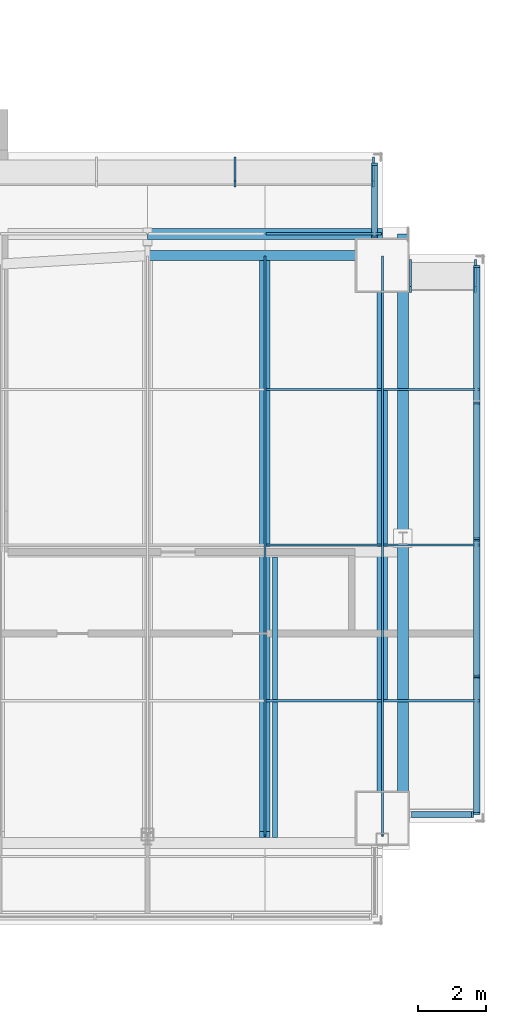
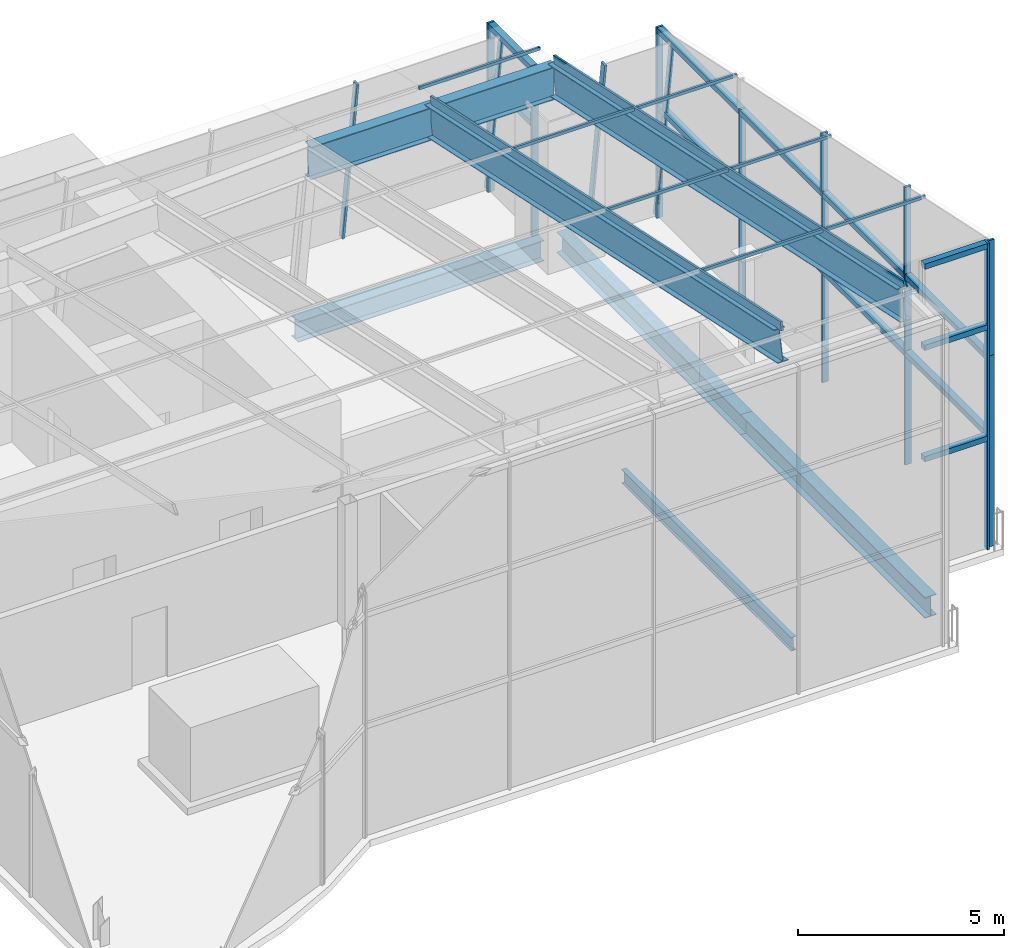
# One storey, part 7 of 17: 37 members, 7 beams, 7 elements without a shape of their own.
"""IFC4 building model written with IfcOpenShell, lengths in metres."""

import ifcopenshell
import ifcopenshell.guid

model = None  # the IFC model being written
_history = None  # IfcOwnerHistory: only IFC2X3 demands one
_inside = {}  # id of a spatial element -> (the spatial element, [elements in it])
_under = {}  # id of a project, library or spatial element -> (it, [spatial elements below it])
_declared = {}  # id of a project -> (the project, [libraries it declares])
_typed = {}  # id of a type object -> (the type object, [elements of that type])
_made_of = {}  # id of a material, layer set ... -> (it, [elements and type objects made of it])


def new_model(schema):
    """Start an empty IFC model of exactly this schema.

    Asked for "IFC4X3", IfcOpenShell would pick the latest addendum, in which some entities
    have other attributes; the version numbers below select the first issue.
    IFC2X3 requires an IfcOwnerHistory on every rooted entity: one is made here for all.
    """
    global model, _history
    if schema == "IFC4X3":
        model = ifcopenshell.file(schema_version=(4, 3, 0, 0))
    else:
        model = ifcopenshell.file(schema=schema)
    _inside.clear()
    _under.clear()
    _declared.clear()
    _typed.clear()
    _made_of.clear()
    _history = None
    if model.schema == "IFC2X3":
        org = make("IfcOrganization", Name="unknown")
        user = make(
            "IfcPersonAndOrganization",
            ThePerson=make("IfcPerson", FamilyName="unknown"),
            TheOrganization=org,
        )
        app = make(
            "IfcApplication",
            ApplicationDeveloper=org,
            Version="unknown",
            ApplicationFullName="unknown",
            ApplicationIdentifier="unknown",
        )
        _history = make(
            "IfcOwnerHistory",
            OwningUser=user,
            OwningApplication=app,
            ChangeAction="ADDED",
            CreationDate=0,
        )
    return model


def make(cls, **values):
    """One entity of the class cls with the attributes given. An attribute that is None is left unset."""
    return model.create_entity(
        cls, **{name: value for name, value in values.items() if value is not None}
    )


def rooted(cls, **values):
    """An entity with a GlobalId (a new one), such as an element, a storey or a relation."""
    return make(cls, GlobalId=ifcopenshell.guid.new(), OwnerHistory=_history, **values)


def si_unit(unit_type, name, prefix=None):
    """IfcSIUnit, for example si_unit("LENGTHUNIT", "METRE", prefix="MILLI")."""
    return make("IfcSIUnit", UnitType=unit_type, Prefix=prefix, Name=name)


def assignment(units):
    """IfcUnitAssignment: the units of a project."""
    return None if units is None else make("IfcUnitAssignment", Units=units)


def point(xyz):
    """IfcCartesianPoint."""
    return None if xyz is None else make("IfcCartesianPoint", Coordinates=xyz)


def direction(xyz):
    """IfcDirection."""
    return None if xyz is None else make("IfcDirection", DirectionRatios=xyz)


def frame(location, z_axis=None, x_axis=None):
    """IfcAxis2Placement3D, a coordinate frame: its origin and axes. An axis left out is left unset."""
    return make(
        "IfcAxis2Placement3D",
        Location=point(location),
        Axis=direction(z_axis),
        RefDirection=direction(x_axis),
    )


def frame_2d(location, x_axis=None):
    """IfcAxis2Placement2D, a coordinate frame in the plane: its origin and x axis."""
    return make(
        "IfcAxis2Placement2D", Location=point(location), RefDirection=direction(x_axis)
    )


def origin():
    """The frame at (0, 0, 0) with its axes left unset."""
    return frame((0.0, 0.0, 0.0))


def origin_2d():
    """The frame at (0, 0) in the plane with its x axis left unset."""
    return frame_2d((0.0, 0.0))


def place(relative_to, where):
    """IfcLocalPlacement: puts the frame where relative to a parent placement (None: the world)."""
    return make(
        "IfcLocalPlacement", PlacementRelTo=relative_to, RelativePlacement=where
    )


def context(
    kind, dimensions, precision=None, world=None, true_north=None, identifier=None
):
    """IfcGeometricRepresentationContext, for example the 3D "Model" context."""
    return make(
        "IfcGeometricRepresentationContext",
        ContextIdentifier=identifier,
        ContextType=kind,
        CoordinateSpaceDimension=dimensions,
        Precision=precision,
        WorldCoordinateSystem=world,
        TrueNorth=true_north,
    )


def subcontext(parent, identifier, kind, view, scale=None):
    """IfcGeometricRepresentationSubContext, for example "Body" below "Model"."""
    return make(
        "IfcGeometricRepresentationSubContext",
        ContextIdentifier=identifier,
        ContextType=kind,
        ParentContext=parent,
        TargetScale=scale,
        TargetView=view,
    )


def project(units=None, contexts=None):
    """IfcProject with its units and contexts."""
    return rooted(
        "IfcProject",
        Name="project",
        RepresentationContexts=contexts,
        UnitsInContext=assignment(units),
    )


def spatial(cls, under=None, at=None, **own):
    """A site, building, storey or space (cls), placed at a placement, below another one or the project."""
    s = rooted(cls, ObjectPlacement=at, **own)
    if under is not None:
        _under.setdefault(under.id(), (under, []))[1].append(s)
    return s


def profile(cls, at=None, kind="AREA", **sizes):
    """A parametric profile (cls). Its sizes go by their IFC names, for example OverallWidth=200.0."""
    return make(cls, ProfileType=kind, Position=at, **sizes)


def rectangle(**sizes):
    """IfcRectangleProfileDef."""
    return profile("IfcRectangleProfileDef", **sizes)


def i_section(**sizes):
    """IfcIShapeProfileDef."""
    return profile("IfcIShapeProfileDef", **sizes)


def extrude(swept, where, along, depth):
    """IfcExtrudedAreaSolid: the profile swept, set in the frame where, extruded along a direction by depth."""
    return make(
        "IfcExtrudedAreaSolid",
        SweptArea=swept,
        Position=where,
        ExtrudedDirection=direction(along),
        Depth=depth,
    )


def shape(context_of_items, identifier, shape_type, items):
    """IfcShapeRepresentation: the items that make up one representation, for example the "Body"."""
    return make(
        "IfcShapeRepresentation",
        ContextOfItems=context_of_items,
        RepresentationIdentifier=identifier,
        RepresentationType=shape_type,
        Items=items,
    )


def material(Name=None, Category=None):
    """IfcMaterial."""
    return make("IfcMaterial", Name=Name, Category=Category)


def material_profile(
    of_material, cross_section, Name=None, Category=None, Priority=None
):
    """IfcMaterialProfile: a cross section and its material."""
    return make(
        "IfcMaterialProfile",
        Name=Name,
        Material=of_material,
        Profile=cross_section,
        Priority=Priority,
        Category=Category,
    )


def profile_set(profiles, Name=None, composite=None):
    """IfcMaterialProfileSet."""
    return make(
        "IfcMaterialProfileSet",
        Name=Name,
        MaterialProfiles=profiles,
        CompositeProfile=composite,
    )


def made_of(thing, what):
    """Note that an element or type object is made of a material, layer set ...; save() writes the relation."""
    if what is not None:
        _made_of.setdefault(what.id(), (what, []))[1].append(thing)
    return thing


def type_object(cls, material=None, **own):
    """A type object (cls), such as IfcWallType, which elements share."""
    return made_of(rooted(cls, **own), material)


def element(
    cls,
    number,
    at=None,
    inside=None,
    cuts=None,
    type_object=None,
    material=None,
    context=None,
    identifier="Body",
    shape_type=None,
    held_by="IfcProductDefinitionShape",
    body=None,
    shapes=None,
    **own,
):
    """One element of the class cls, such as IfcWall. Its Tag is "e" and its number.

    at: its placement. inside: the storey or other place that contains it. cuts: it is an
    opening in that element (IfcRelVoidsElement). A single representation is given by context,
    identifier, shape_type and body (its items); several are given by shapes. held_by: the class
    of the entity that holds the representations. save() writes the other relations.
    """
    e = rooted(cls, Tag="e%d" % number, ObjectPlacement=at, **own)
    if body is not None:
        shapes = [shape(context, identifier, shape_type, body)]
    if shapes is not None:
        e.Representation = make(held_by, Representations=shapes)
    if inside is not None:
        _inside.setdefault(inside.id(), (inside, []))[1].append(e)
    if cuts is not None:
        rooted(
            "IfcRelVoidsElement", RelatingBuildingElement=cuts, RelatedOpeningElement=e
        )
    if type_object is not None:
        _typed.setdefault(type_object.id(), (type_object, []))[1].append(e)
    return made_of(e, material)


def aggregate(whole, parts):
    """IfcRelAggregates: a whole, such as a stair, and the parts it consists of."""
    return rooted("IfcRelAggregates", RelatingObject=whole, RelatedObjects=parts)


def save(model, path):
    """Write the relations noted so far, then the file.

    IfcRelAggregates (storeys below a building ...), IfcRelContainedInSpatialStructure (elements
    in a storey), IfcRelDefinesByType, IfcRelAssociatesMaterial and IfcRelDeclares: one each for
    every whole, place, type object, material and project.
    """
    for whole, parts in _under.values():
        aggregate(whole, parts)
    for where, things in _inside.values():
        rooted(
            "IfcRelContainedInSpatialStructure",
            RelatedElements=things,
            RelatingStructure=where,
        )
    for kind, things in _typed.values():
        rooted("IfcRelDefinesByType", RelatedObjects=things, RelatingType=kind)
    for what, things in _made_of.values():
        rooted("IfcRelAssociatesMaterial", RelatedObjects=things, RelatingMaterial=what)
    for by, libraries in _declared.values():
        rooted("IfcRelDeclares", RelatingContext=by, RelatedDefinitions=libraries)
    model.write(path)


model = new_model("IFC4")

# Units and contexts
model_context = context("Model", 3, precision=1e-05, world=origin(), true_north=direction((0.0, 1.0)))
body_context = subcontext(model_context, "Body", "Model", "MODEL_VIEW")
ifc_project = project(units=[si_unit("LENGTHUNIT", "METRE"), si_unit("AREAUNIT", "SQUARE_METRE"), si_unit("VOLUMEUNIT", "CUBIC_METRE"), si_unit("PLANEANGLEUNIT", "RADIAN"), si_unit("MASSUNIT", "GRAM", prefix="KILO")], contexts=[model_context])

# Site, building, storey
site_placement = place(None, origin())
site = spatial("IfcSite", under=ifc_project, at=site_placement, CompositionType="ELEMENT")
building_placement = place(site_placement, origin())
building = spatial("IfcBuilding", under=site, at=building_placement, Name="Bicima Exchange Tower", CompositionType="ELEMENT")
storey_placement = place(building_placement, frame((0.0, 0.0, 356.89990234375)))
storey = spatial("IfcBuildingStorey", under=building, at=storey_placement, Name="L80", CompositionType="ELEMENT", Elevation=356.89990234375)

# Curtain wall, members
ifc_material_1 = material(Name="Anodised bronze aluminium", Category="aluminium")
curtain_wall_type = type_object("IfcCurtainWallType", Name="Crown glass wall", PredefinedType="NOTDEFINED", material=ifc_material_1)
curtain_wall_1_placement = place(storey_placement, origin())
curtain_wall_1 = element("IfcCurtainWall", 1, at=curtain_wall_1_placement, inside=storey, type_object=curtain_wall_type, Name="Crown glass wall L80 run 1", PredefinedType="NOTDEFINED")
ifc_material_profile_1 = material_profile(ifc_material_1, rectangle(XDim=0.179931640625, YDim=0.06005859375, at=origin_2d()))
ifc_profile_set_1 = profile_set([ifc_material_profile_1], Name="Anodised bronze aluminium")
member_type_1 = type_object("IfcMemberType", Name="Crown glass wall mullion 60 x 180", PredefinedType="MULLION", material=ifc_profile_set_1)
member_1_placement = place(storey_placement, frame((32.77001953125, -3.751220703125, 0.0), z_axis=(0.0, 0.0, 1.0), x_axis=(-1.0, 0.0, 0.0)))
member_1 = element("IfcMember", 2, at=member_1_placement, type_object=member_type_1, Name="Crown glass wall mullion 1", PredefinedType="MULLION", context=body_context, shape_type="SweptSolid", body=[
    extrude(rectangle(XDim=0.179931640625, YDim=0.06005859375, at=origin_2d()), origin(), (0.0, 0.0, 1.0), 5.0185546875),
])
member_2_placement = place(storey_placement, frame((32.77001953125, -1.614990234375, 0.0), z_axis=(0.0, 0.0, 1.0), x_axis=(-1.0, 0.0, 0.0)))
member_2 = element("IfcMember", 3, at=member_2_placement, type_object=member_type_1, Name="Crown glass wall mullion 2", PredefinedType="MULLION", context=body_context, shape_type="SweptSolid", body=[
    extrude(rectangle(XDim=0.179931640625, YDim=0.06005859375, at=origin_2d()), origin(), (0.0, 0.0, 1.0), 5.0185546875),
])

# Curtain wall, member
curtain_wall_2_placement = place(storey_placement, origin())
curtain_wall_2 = element("IfcCurtainWall", 4, at=curtain_wall_2_placement, inside=storey, type_object=curtain_wall_type, Name="Crown glass wall L80 run 14", PredefinedType="NOTDEFINED")
member_3_placement = place(storey_placement, frame((35.64990234375, -20.714111328125, 0.0), z_axis=(0.0, 0.0, 1.0), x_axis=(0.0, 1.0, 0.0)))
member_3 = element("IfcMember", 5, at=member_3_placement, type_object=member_type_1, Name="Crown glass wall mullion 2", PredefinedType="MULLION", context=body_context, shape_type="SweptSolid", body=[
    extrude(rectangle(XDim=0.179931640625, YDim=0.06005859375, at=origin_2d()), origin(), (0.0, 0.0, 1.0), 9.08447265625),
])

# Curtain wall, members
curtain_wall_3_placement = place(storey_placement, origin())
curtain_wall_3 = element("IfcCurtainWall", 6, at=curtain_wall_3_placement, inside=storey, type_object=curtain_wall_type, Name="Crown glass wall L80 run 15", PredefinedType="NOTDEFINED")
member_4_placement = place(storey_placement, frame((35.77001953125, -20.68408203125, 0.0), z_axis=(0.0, 0.0, 1.0), x_axis=(-1.0, 0.0, 0.0)))
member_4 = element("IfcMember", 7, at=member_4_placement, type_object=member_type_1, Name="Crown glass wall mullion 1", PredefinedType="MULLION", context=body_context, shape_type="SweptSolid", body=[
    extrude(rectangle(XDim=0.179931640625, YDim=0.06005859375, at=origin_2d()), origin(), (0.0, 0.0, 1.0), 5.65625),
])
member_5_placement = place(storey_placement, frame((35.77001953125, -16.666748046875, 0.0), z_axis=(0.0, 0.0, 1.0), x_axis=(-1.0, 0.0, 0.0)))
member_5 = element("IfcMember", 8, at=member_5_placement, type_object=member_type_1, Name="Crown glass wall mullion 2", PredefinedType="MULLION", context=body_context, shape_type="SweptSolid", body=[
    extrude(rectangle(XDim=0.179931640625, YDim=0.06005859375, at=origin_2d()), origin(), (0.0, 0.0, 1.0), 5.65625),
])
member_6_placement = place(storey_placement, frame((35.77001953125, -12.6494140625, 0.0), z_axis=(0.0, 0.0, 1.0), x_axis=(-1.0, 0.0, 0.0)))
member_6 = element("IfcMember", 9, at=member_6_placement, type_object=member_type_1, Name="Crown glass wall mullion 3", PredefinedType="MULLION", context=body_context, shape_type="SweptSolid", body=[
    extrude(rectangle(XDim=0.179931640625, YDim=0.06005859375, at=origin_2d()), origin(), (0.0, 0.0, 1.0), 5.65625),
])
member_7_placement = place(storey_placement, frame((35.77001953125, -8.632080078125, 0.0), z_axis=(0.0, 0.0, 1.0), x_axis=(-1.0, 0.0, 0.0)))
member_7 = element("IfcMember", 10, at=member_7_placement, type_object=member_type_1, Name="Crown glass wall mullion 4", PredefinedType="MULLION", context=body_context, shape_type="SweptSolid", body=[
    extrude(rectangle(XDim=0.179931640625, YDim=0.06005859375, at=origin_2d()), origin(), (0.0, 0.0, 1.0), 5.65625),
])
member_8_placement = place(storey_placement, frame((35.77001953125, -4.614990234375, 0.0), z_axis=(0.0, 0.0, 1.0), x_axis=(-1.0, 0.0, 0.0)))
member_8 = element("IfcMember", 11, at=member_8_placement, type_object=member_type_1, Name="Crown glass wall mullion 5", PredefinedType="MULLION", context=body_context, shape_type="SweptSolid", body=[
    extrude(rectangle(XDim=0.179931640625, YDim=0.06005859375, at=origin_2d()), origin(), (0.0, 0.0, 1.0), 5.65625),
])

curtain_wall_4_placement = place(storey_placement, origin())
curtain_wall_4 = element("IfcCurtainWall", 12, at=curtain_wall_4_placement, inside=storey, type_object=curtain_wall_type, Name="Crown tilted glass L80 2.1", PredefinedType="NOTDEFINED")
member_9_placement = place(storey_placement, frame((32.739990234375, -1.494873046875, 0.0), z_axis=(0.0, -0.139173327963, 0.990268036838), x_axis=(0.0, -0.990268036838, -0.139173327963)))
member_9 = element("IfcMember", 13, at=member_9_placement, type_object=member_type_1, Name="Crown tilted mullion 1", PredefinedType="MULLION", context=body_context, shape_type="SweptSolid", body=[
    extrude(rectangle(XDim=0.179931640625, YDim=0.06005859375, at=origin_2d()), origin(), (0.0, 0.0, 1.0), 5.048583984375),
])
member_10_placement = place(storey_placement, frame((28.67041015625, -1.494873046875, 0.0), z_axis=(0.0, -0.139173327963, 0.990268036838), x_axis=(0.0, -0.990268036838, -0.139173327963)))
member_10 = element("IfcMember", 14, at=member_10_placement, type_object=member_type_1, Name="Crown tilted mullion 2", PredefinedType="MULLION", context=body_context, shape_type="SweptSolid", body=[
    extrude(rectangle(XDim=0.179931640625, YDim=0.06005859375, at=origin_2d()), origin(), (0.0, 0.0, 1.0), 5.048583984375),
])
aggregate(curtain_wall_4, [member_9, member_10])

curtain_wall_5_placement = place(storey_placement, origin())
curtain_wall_5 = element("IfcCurtainWall", 15, at=curtain_wall_5_placement, inside=storey, type_object=curtain_wall_type, Name="Crown tilted glass L80 18.1", PredefinedType="NOTDEFINED")
member_11_placement = place(storey_placement, frame((35.739990234375, -4.494873046875, 0.0), z_axis=(0.0, -0.139169405304, 0.990268588125), x_axis=(0.0, -0.990268588125, -0.139169405304)))
member_11 = element("IfcMember", 16, at=member_11_placement, type_object=member_type_1, Name="Crown tilted mullion 1", PredefinedType="MULLION", context=body_context, shape_type="SweptSolid", body=[
    extrude(rectangle(XDim=0.179931640625, YDim=0.06005859375, at=origin_2d()), origin(), (0.0, 0.0, 1.0), 5.692626953125),
])
member_12_placement = place(storey_placement, frame((33.830078125, -4.494873046875, 0.0), z_axis=(0.0, -0.139169405304, 0.990268588125), x_axis=(0.0, -0.990268588125, -0.139169405304)))
member_12 = element("IfcMember", 17, at=member_12_placement, type_object=member_type_1, Name="Crown tilted mullion 2", PredefinedType="MULLION", context=body_context, shape_type="SweptSolid", body=[
    extrude(rectangle(XDim=0.179931640625, YDim=0.06005859375, at=origin_2d()), origin(), (0.0, 0.0, 1.0), 5.692626953125),
])
aggregate(curtain_wall_5, [member_11, member_12])

curtain_wall_6_placement = place(storey_placement, origin())
curtain_wall_6 = element("IfcCurtainWall", 18, at=curtain_wall_6_placement, inside=storey, type_object=curtain_wall_type, Name="Gable glazing east 17", PredefinedType="NOTDEFINED")
member_13_placement = place(storey_placement, frame((35.77001953125, -20.68408203125, 5.63720703125), z_axis=(0.0, 0.0, 1.0), x_axis=(-1.0, 0.0, 0.0)))
member_13 = element("IfcMember", 19, at=member_13_placement, type_object=member_type_1, Name="Gable glazing mullion 1", PredefinedType="MULLION", context=body_context, shape_type="SweptSolid", body=[
    extrude(rectangle(XDim=0.179931640625, YDim=0.06005859375, at=origin_2d()), origin(), (0.0, 0.0, 1.0), 3.44091796875),
])
member_14_placement = place(storey_placement, frame((35.77001953125, -16.644287109375, 5.63720703125), z_axis=(0.0, 0.0, 1.0), x_axis=(-1.0, 0.0, 0.0)))
member_14 = element("IfcMember", 20, at=member_14_placement, type_object=member_type_1, Name="Gable glazing mullion 2", PredefinedType="MULLION", context=body_context, shape_type="SweptSolid", body=[
    extrude(rectangle(XDim=0.179931640625, YDim=0.06005859375, at=origin_2d()), origin(), (0.0, 0.0, 1.0), 2.582275390625),
])
member_15_placement = place(storey_placement, frame((35.77001953125, -12.6044921875, 5.63720703125), z_axis=(0.0, 0.0, 1.0), x_axis=(-1.0, 0.0, 0.0)))
member_15 = element("IfcMember", 21, at=member_15_placement, type_object=member_type_1, Name="Gable glazing mullion 3", PredefinedType="MULLION", context=body_context, shape_type="SweptSolid", body=[
    extrude(rectangle(XDim=0.179931640625, YDim=0.06005859375, at=origin_2d()), origin(), (0.0, 0.0, 1.0), 1.7236328125),
])
aggregate(curtain_wall_6, [member_13, member_14, member_15])

# Member
ifc_material_profile_2 = material_profile(ifc_material_1, rectangle(XDim=0.179931640625, YDim=0.159912109375, at=origin_2d()))
ifc_profile_set_2 = profile_set([ifc_material_profile_2], Name="Anodised bronze aluminium")
member_type_2 = type_object("IfcMemberType", Name="Crown glass wall transom 160 x 180", PredefinedType="USERDEFINED", material=ifc_profile_set_2)
member_16_placement = place(storey_placement, frame((32.77001953125, -3.72119140625, 3.300048828125), z_axis=(0.0, 1.0, 0.0), x_axis=(-1.0, 0.0, 0.0)))
member_16 = element("IfcMember", 22, at=member_16_placement, type_object=member_type_2, Name="Crown glass wall transom 1.1", ObjectType="TRANSOM", PredefinedType="USERDEFINED", context=body_context, shape_type="SweptSolid", body=[
    extrude(rectangle(XDim=0.179931640625, YDim=0.159912109375, at=origin_2d()), origin(), (0.0, 0.0, 1.0), 2.076171875),
])

member_17_placement = place(storey_placement, frame((32.77001953125, -3.72119140625, 4.9384765625), z_axis=(0.0, 1.0, 0.0), x_axis=(-1.0, 0.0, 0.0)))
member_17 = element("IfcMember", 23, at=member_17_placement, type_object=member_type_2, Name="Crown glass wall transom 1.2", ObjectType="TRANSOM", PredefinedType="USERDEFINED", context=body_context, shape_type="SweptSolid", body=[
    extrude(rectangle(XDim=0.179931640625, YDim=0.159912109375, at=origin_2d()), origin(), (0.0, 0.0, 1.0), 2.076171875),
])

aggregate(curtain_wall_1, [member_1, member_2, member_16, member_17])

member_18_placement = place(storey_placement, frame((33.860107421875, -20.714111328125, 3.300048828125), z_axis=(1.0, 0.0, 0.0), x_axis=(0.0, 1.0, 0.0)))
member_18 = element("IfcMember", 24, at=member_18_placement, type_object=member_type_2, Name="Crown glass wall transom 1.1", ObjectType="TRANSOM", PredefinedType="USERDEFINED", context=body_context, shape_type="SweptSolid", body=[
    extrude(rectangle(XDim=0.179931640625, YDim=0.159912109375, at=origin_2d()), origin(), (0.0, 0.0, 1.0), 1.760009765625),
])

member_19_placement = place(storey_placement, frame((33.860107421875, -20.714111328125, 6.60009765625), z_axis=(1.0, 0.0, 0.0), x_axis=(0.0, 1.0, 0.0)))
member_19 = element("IfcMember", 25, at=member_19_placement, type_object=member_type_2, Name="Crown glass wall transom 1.2", ObjectType="TRANSOM", PredefinedType="USERDEFINED", context=body_context, shape_type="SweptSolid", body=[
    extrude(rectangle(XDim=0.179931640625, YDim=0.159912109375, at=origin_2d()), origin(), (0.0, 0.0, 1.0), 1.760009765625),
])

member_20_placement = place(storey_placement, frame((33.860107421875, -20.714111328125, 9.00439453125), z_axis=(1.0, 0.0, 0.0), x_axis=(0.0, 1.0, 0.0)))
member_20 = element("IfcMember", 26, at=member_20_placement, type_object=member_type_2, Name="Crown glass wall transom 1.3", ObjectType="TRANSOM", PredefinedType="USERDEFINED", context=body_context, shape_type="SweptSolid", body=[
    extrude(rectangle(XDim=0.179931640625, YDim=0.159912109375, at=origin_2d()), origin(), (0.0, 0.0, 1.0), 1.760009765625),
])

aggregate(curtain_wall_2, [member_3, member_18, member_19, member_20])

member_21_placement = place(storey_placement, frame((35.77001953125, -20.654052734375, 3.300048828125), z_axis=(0.0, 1.0, 0.0), x_axis=(-1.0, 0.0, 0.0)))
member_21 = element("IfcMember", 27, at=member_21_placement, type_object=member_type_2, Name="Crown glass wall transom 1.1", ObjectType="TRANSOM", PredefinedType="USERDEFINED", context=body_context, shape_type="SweptSolid", body=[
    extrude(rectangle(XDim=0.179931640625, YDim=0.159912109375, at=origin_2d()), origin(), (0.0, 0.0, 1.0), 3.957275390625),
])

member_22_placement = place(storey_placement, frame((35.77001953125, -20.654052734375, 5.576171875), z_axis=(0.0, 1.0, 0.0), x_axis=(-1.0, 0.0, 0.0)))
member_22 = element("IfcMember", 28, at=member_22_placement, type_object=member_type_2, Name="Crown glass wall transom 1.2", ObjectType="TRANSOM", PredefinedType="USERDEFINED", context=body_context, shape_type="SweptSolid", body=[
    extrude(rectangle(XDim=0.179931640625, YDim=0.159912109375, at=origin_2d()), origin(), (0.0, 0.0, 1.0), 3.957275390625),
])

member_23_placement = place(storey_placement, frame((35.77001953125, -16.63671875, 3.300048828125), z_axis=(0.0, 1.0, 0.0), x_axis=(-1.0, 0.0, 0.0)))
member_23 = element("IfcMember", 29, at=member_23_placement, type_object=member_type_2, Name="Crown glass wall transom 2.1", ObjectType="TRANSOM", PredefinedType="USERDEFINED", context=body_context, shape_type="SweptSolid", body=[
    extrude(rectangle(XDim=0.179931640625, YDim=0.159912109375, at=origin_2d()), origin(), (0.0, 0.0, 1.0), 3.957275390625),
])

member_24_placement = place(storey_placement, frame((35.77001953125, -16.63671875, 5.576171875), z_axis=(0.0, 1.0, 0.0), x_axis=(-1.0, 0.0, 0.0)))
member_24 = element("IfcMember", 30, at=member_24_placement, type_object=member_type_2, Name="Crown glass wall transom 2.2", ObjectType="TRANSOM", PredefinedType="USERDEFINED", context=body_context, shape_type="SweptSolid", body=[
    extrude(rectangle(XDim=0.179931640625, YDim=0.159912109375, at=origin_2d()), origin(), (0.0, 0.0, 1.0), 3.957275390625),
])

member_25_placement = place(storey_placement, frame((35.77001953125, -12.619384765625, 3.300048828125), z_axis=(0.0, 1.0, 0.0), x_axis=(-1.0, 0.0, 0.0)))
member_25 = element("IfcMember", 31, at=member_25_placement, type_object=member_type_2, Name="Crown glass wall transom 3.1", ObjectType="TRANSOM", PredefinedType="USERDEFINED", context=body_context, shape_type="SweptSolid", body=[
    extrude(rectangle(XDim=0.179931640625, YDim=0.159912109375, at=origin_2d()), origin(), (0.0, 0.0, 1.0), 3.957275390625),
])

member_26_placement = place(storey_placement, frame((35.77001953125, -12.619384765625, 5.576171875), z_axis=(0.0, 1.0, 0.0), x_axis=(-1.0, 0.0, 0.0)))
member_26 = element("IfcMember", 32, at=member_26_placement, type_object=member_type_2, Name="Crown glass wall transom 3.2", ObjectType="TRANSOM", PredefinedType="USERDEFINED", context=body_context, shape_type="SweptSolid", body=[
    extrude(rectangle(XDim=0.179931640625, YDim=0.159912109375, at=origin_2d()), origin(), (0.0, 0.0, 1.0), 3.957275390625),
])

member_27_placement = place(storey_placement, frame((35.77001953125, -8.602294921875, 3.300048828125), z_axis=(0.0, 1.0, 0.0), x_axis=(-1.0, 0.0, 0.0)))
member_27 = element("IfcMember", 33, at=member_27_placement, type_object=member_type_2, Name="Crown glass wall transom 4.1", ObjectType="TRANSOM", PredefinedType="USERDEFINED", context=body_context, shape_type="SweptSolid", body=[
    extrude(rectangle(XDim=0.179931640625, YDim=0.159912109375, at=origin_2d()), origin(), (0.0, 0.0, 1.0), 3.957275390625),
])

member_28_placement = place(storey_placement, frame((35.77001953125, -8.602294921875, 5.576171875), z_axis=(0.0, 1.0, 0.0), x_axis=(-1.0, 0.0, 0.0)))
member_28 = element("IfcMember", 34, at=member_28_placement, type_object=member_type_2, Name="Crown glass wall transom 4.2", ObjectType="TRANSOM", PredefinedType="USERDEFINED", context=body_context, shape_type="SweptSolid", body=[
    extrude(rectangle(XDim=0.179931640625, YDim=0.159912109375, at=origin_2d()), origin(), (0.0, 0.0, 1.0), 3.957275390625),
])

aggregate(curtain_wall_3, [member_4, member_5, member_6, member_7, member_8, member_21, member_22, member_23, member_24, member_25, member_26, member_27, member_28])

# Beams
ifc_material_2 = material(Name="Steel ASTM A992 Gr 50", Category="steel")
ifc_material_profile_3 = material_profile(ifc_material_2, i_section(OverallWidth=0.3251953125, OverallDepth=0.612060546875, WebThickness=0.0126953125, FlangeThickness=0.01904296875, at=origin_2d()))
ifc_profile_set_3 = profile_set([ifc_material_profile_3], Name="Steel ASTM A992 Gr 50")
beam_type_1 = type_object("IfcBeamType", Name="End girder W24x104", PredefinedType="BEAM", material=ifc_profile_set_3)
beam_1_placement = place(storey_placement, frame((33.60009765625, -3.664794921875, -0.506103515625), z_axis=(0.0, -1.0, 0.0), x_axis=(1.0, 0.0, 0.0)))
element("IfcBeam", 35, at=beam_1_placement, inside=storey, type_object=beam_type_1, Name="End girder", PredefinedType="BEAM", context=body_context, shape_type="SweptSolid", body=[
    extrude(i_section(OverallWidth=0.3251953125, OverallDepth=0.612060546875, WebThickness=0.0126953125, FlangeThickness=0.01904296875, at=origin_2d()), origin(), (0.0, 0.0, 1.0), 8.935302734375),
])
beam_2_placement = place(storey_placement, frame((33.60009765625, -12.60009765625, -0.506103515625), z_axis=(0.0, -1.0, 0.0), x_axis=(1.0, 0.0, 0.0)))
element("IfcBeam", 36, at=beam_2_placement, inside=storey, type_object=beam_type_1, Name="End girder", PredefinedType="BEAM", context=body_context, shape_type="SweptSolid", body=[
    extrude(i_section(OverallWidth=0.3251953125, OverallDepth=0.612060546875, WebThickness=0.0126953125, FlangeThickness=0.01904296875, at=origin_2d()), origin(), (0.0, 0.0, 1.0), 8.94384765625),
])
ifc_material_profile_4 = material_profile(ifc_material_2, i_section(OverallWidth=0.140380859375, OverallDepth=0.40380859375, WebThickness=0.007080078125, FlangeThickness=0.01123046875, at=origin_2d()))
ifc_profile_set_4 = profile_set([ifc_material_profile_4], Name="Steel ASTM A992 Gr 50")
beam_type_2 = type_object("IfcBeamType", Name="Floor beam W16x31", PredefinedType="JOIST", material=ifc_profile_set_4)
beam_3_placement = place(storey_placement, frame((29.85009765625, -13.15234375, -0.40185546875), z_axis=(0.0, -1.0, 0.0), x_axis=(1.0, 0.0, 0.0)))
element("IfcBeam", 37, at=beam_3_placement, inside=storey, type_object=beam_type_2, Name="Floor beam", PredefinedType="JOIST", context=body_context, shape_type="SweptSolid", body=[
    extrude(i_section(OverallWidth=0.140380859375, OverallDepth=0.40380859375, WebThickness=0.007080078125, FlangeThickness=0.01123046875, at=origin_2d()), origin(), (0.0, 0.0, 1.0), 8.22900390625),
])
beam_type_3 = type_object("IfcBeamType", Name="Rear girder W24x104", PredefinedType="BEAM", material=ifc_profile_set_3)
beam_4_placement = place(storey_placement, frame((26.10009765625, -3.664794921875, -0.506103515625), z_axis=(1.0, 0.0, 0.0), x_axis=(0.0, 1.0, 0.0)))
element("IfcBeam", 38, at=beam_4_placement, inside=storey, type_object=beam_type_3, Name="Rear girder", PredefinedType="BEAM", context=body_context, shape_type="SweptSolid", body=[
    extrude(i_section(OverallWidth=0.3251953125, OverallDepth=0.612060546875, WebThickness=0.0126953125, FlangeThickness=0.01904296875, at=origin_2d()), origin(), (0.0, 0.0, 1.0), 6.89990234375),
])
ifc_material_profile_5 = material_profile(ifc_material_2, i_section(OverallWidth=0.2998046875, OverallDepth=0.97021484375, WebThickness=0.01611328125, FlangeThickness=0.02099609375, at=origin_2d()))
ifc_profile_set_5 = profile_set([ifc_material_profile_5], Name="Steel ASTM A992 Gr 50")
beam_type_4 = type_object("IfcBeamType", Name="Roof eave beam W40x149", PredefinedType="BEAM", material=ifc_profile_set_5)
beam_5_placement = place(storey_placement, frame((26.10009765625, -4.29736328125, 4.85498046875), z_axis=(1.0, 0.0, 0.0), x_axis=(0.0, 1.0, 0.0)))
element("IfcBeam", 39, at=beam_5_placement, inside=storey, type_object=beam_type_4, Name="Roof eave beam", PredefinedType="BEAM", context=body_context, shape_type="SweptSolid", body=[
    extrude(i_section(OverallWidth=0.2998046875, OverallDepth=0.97021484375, WebThickness=0.01611328125, FlangeThickness=0.02099609375, at=origin_2d()), origin(), (0.0, 0.0, 1.0), 6.89990234375),
])

# Curtain wall, members
curtain_wall_7_placement = place(storey_placement, origin())
curtain_wall_7 = element("IfcCurtainWall", 40, at=curtain_wall_7_placement, inside=storey, type_object=curtain_wall_type, Name="Roof glazing east", PredefinedType="NOTDEFINED")
ifc_material_profile_6 = material_profile(ifc_material_1, rectangle(XDim=0.06005859375, YDim=0.248291015625, at=origin_2d()))
ifc_profile_set_6 = profile_set([ifc_material_profile_6], Name="Anodised bronze aluminium")
member_type_3 = type_object("IfcMemberType", Name="Roof glazing bar 60 x 248", PredefinedType="USERDEFINED", material=ifc_profile_set_6)
member_29_placement = place(storey_placement, frame((29.550048828125, -4.332275390625, 5.468017578125), z_axis=(0.0, -0.978147819599, 0.207910661136), x_axis=(1.0, 0.0, 0.0)))
member_29 = element("IfcMember", 41, at=member_29_placement, type_object=member_type_3, Name="Roof glazing bar east rafter 6", ObjectType="GLAZING BAR", PredefinedType="USERDEFINED", context=body_context, shape_type="SweptSolid", body=[
    extrude(rectangle(XDim=0.06005859375, YDim=0.248291015625, at=origin_2d()), origin(), (0.0, 0.0, 1.0), 17.382568359375),
])
member_30_placement = place(storey_placement, frame((33.0, -4.332275390625, 5.468017578125), z_axis=(0.0, -0.978147819599, 0.207910661136), x_axis=(1.0, 0.0, 0.0)))
member_30 = element("IfcMember", 42, at=member_30_placement, type_object=member_type_3, Name="Roof glazing bar east rafter 7", ObjectType="GLAZING BAR", PredefinedType="USERDEFINED", context=body_context, shape_type="SweptSolid", body=[
    extrude(rectangle(XDim=0.06005859375, YDim=0.248291015625, at=origin_2d()), origin(), (0.0, 0.0, 1.0), 17.382568359375),
])
ifc_material_profile_7 = material_profile(ifc_material_1, rectangle(XDim=0.06005859375, YDim=0.090087890625, at=origin_2d()))
ifc_profile_set_7 = profile_set([ifc_material_profile_7], Name="Anodised bronze aluminium")
member_type_4 = type_object("IfcMemberType", Name="Roof glazing bar 60 x 90", PredefinedType="USERDEFINED", material=ifc_profile_set_7)
member_31_placement = place(storey_placement, frame((29.580078125, -17.3701171875, 8.322509765625), z_axis=(1.0, 0.0, 0.0), x_axis=(0.0, 1.0, 0.0)))
member_31 = element("IfcMember", 43, at=member_31_placement, type_object=member_type_4, Name="Roof glazing bar east cross 2.7", ObjectType="GLAZING BAR", PredefinedType="USERDEFINED", context=body_context, shape_type="SweptSolid", body=[
    extrude(rectangle(XDim=0.06005859375, YDim=0.090087890625, at=origin_2d()), origin(), (0.0, 0.0, 1.0), 3.389892578125),
])
member_32_placement = place(storey_placement, frame((33.030029296875, -17.3701171875, 8.322509765625), z_axis=(1.0, 0.0, 0.0), x_axis=(0.0, 1.0, 0.0)))
member_32 = element("IfcMember", 44, at=member_32_placement, type_object=member_type_4, Name="Roof glazing bar east cross 2.8", ObjectType="GLAZING BAR", PredefinedType="USERDEFINED", context=body_context, shape_type="SweptSolid", body=[
    extrude(rectangle(XDim=0.06005859375, YDim=0.090087890625, at=origin_2d()), origin(), (0.0, 0.0, 1.0), 2.820068359375),
])
member_33_placement = place(storey_placement, frame((29.580078125, -12.798583984375, 7.3505859375), z_axis=(1.0, 0.0, 0.0), x_axis=(0.0, 1.0, 0.0)))
member_33 = element("IfcMember", 45, at=member_33_placement, type_object=member_type_4, Name="Roof glazing bar east cross 3.7", ObjectType="GLAZING BAR", PredefinedType="USERDEFINED", context=body_context, shape_type="SweptSolid", body=[
    extrude(rectangle(XDim=0.06005859375, YDim=0.090087890625, at=origin_2d()), origin(), (0.0, 0.0, 1.0), 3.389892578125),
])
member_34_placement = place(storey_placement, frame((33.030029296875, -12.798583984375, 7.3505859375), z_axis=(1.0, 0.0, 0.0), x_axis=(0.0, 1.0, 0.0)))
member_34 = element("IfcMember", 46, at=member_34_placement, type_object=member_type_4, Name="Roof glazing bar east cross 3.8", ObjectType="GLAZING BAR", PredefinedType="USERDEFINED", context=body_context, shape_type="SweptSolid", body=[
    extrude(rectangle(XDim=0.06005859375, YDim=0.090087890625, at=origin_2d()), origin(), (0.0, 0.0, 1.0), 2.820068359375),
])
member_35_placement = place(storey_placement, frame((29.580078125, -8.227294921875, 6.37890625), z_axis=(1.0, 0.0, 0.0), x_axis=(0.0, 1.0, 0.0)))
member_35 = element("IfcMember", 47, at=member_35_placement, type_object=member_type_4, Name="Roof glazing bar east cross 4.7", ObjectType="GLAZING BAR", PredefinedType="USERDEFINED", context=body_context, shape_type="SweptSolid", body=[
    extrude(rectangle(XDim=0.06005859375, YDim=0.090087890625, at=origin_2d()), origin(), (0.0, 0.0, 1.0), 3.389892578125),
])
member_36_placement = place(storey_placement, frame((33.030029296875, -8.227294921875, 6.37890625), z_axis=(1.0, 0.0, 0.0), x_axis=(0.0, 1.0, 0.0)))
member_36 = element("IfcMember", 48, at=member_36_placement, type_object=member_type_4, Name="Roof glazing bar east cross 4.8", ObjectType="GLAZING BAR", PredefinedType="USERDEFINED", context=body_context, shape_type="SweptSolid", body=[
    extrude(rectangle(XDim=0.06005859375, YDim=0.090087890625, at=origin_2d()), origin(), (0.0, 0.0, 1.0), 2.820068359375),
])
member_37_placement = place(storey_placement, frame((29.580078125, -3.65576171875, 5.4072265625), z_axis=(1.0, 0.0, 0.0), x_axis=(0.0, 1.0, 0.0)))
member_37 = element("IfcMember", 49, at=member_37_placement, type_object=member_type_4, Name="Roof glazing bar east cross 5.7", ObjectType="GLAZING BAR", PredefinedType="USERDEFINED", context=body_context, shape_type="SweptSolid", body=[
    extrude(rectangle(XDim=0.06005859375, YDim=0.090087890625, at=origin_2d()), origin(), (0.0, 0.0, 1.0), 3.389892578125),
])
aggregate(curtain_wall_7, [member_29, member_30, member_31, member_32, member_33, member_34, member_35, member_36, member_37])

# Beams
ifc_material_profile_8 = material_profile(ifc_material_2, i_section(OverallWidth=0.3046875, OverallDepth=0.904296875, WebThickness=0.01513671875, FlangeThickness=0.02001953125, at=origin_2d()))
ifc_profile_set_8 = profile_set([ifc_material_profile_8], Name="Steel ASTM A992 Gr 50")
beam_type_5 = type_object("IfcBeamType", Name="Roof rafter beam W36x135", PredefinedType="BEAM", material=ifc_profile_set_8)
for number, where, z_axis, x_axis, name in (
    (50, (29.550048828125, -4.29736328125, 4.887939453125), (0.0, -0.978147819599, 0.207910661136), (1.0, 0.0, 0.0), "Roof rafter beam"),
    (51, (33.0, -4.29736328125, 4.887939453125), (0.0, -0.978147819599, 0.207910661136), (1.0, 0.0, 0.0), "Roof rafter beam"),
):
    element("IfcBeam", number, at=place(storey_placement, frame(where, z_axis=z_axis, x_axis=x_axis)), inside=storey, type_object=beam_type_5, Name=name, PredefinedType="BEAM", context=body_context, shape_type="SweptSolid", body=[
        extrude(i_section(OverallWidth=0.3046875, OverallDepth=0.904296875, WebThickness=0.01513671875, FlangeThickness=0.02001953125, at=origin_2d()), origin(), (0.0, 0.0, 1.0), 17.382568359375),
    ])

save(model, "model.ifc")
